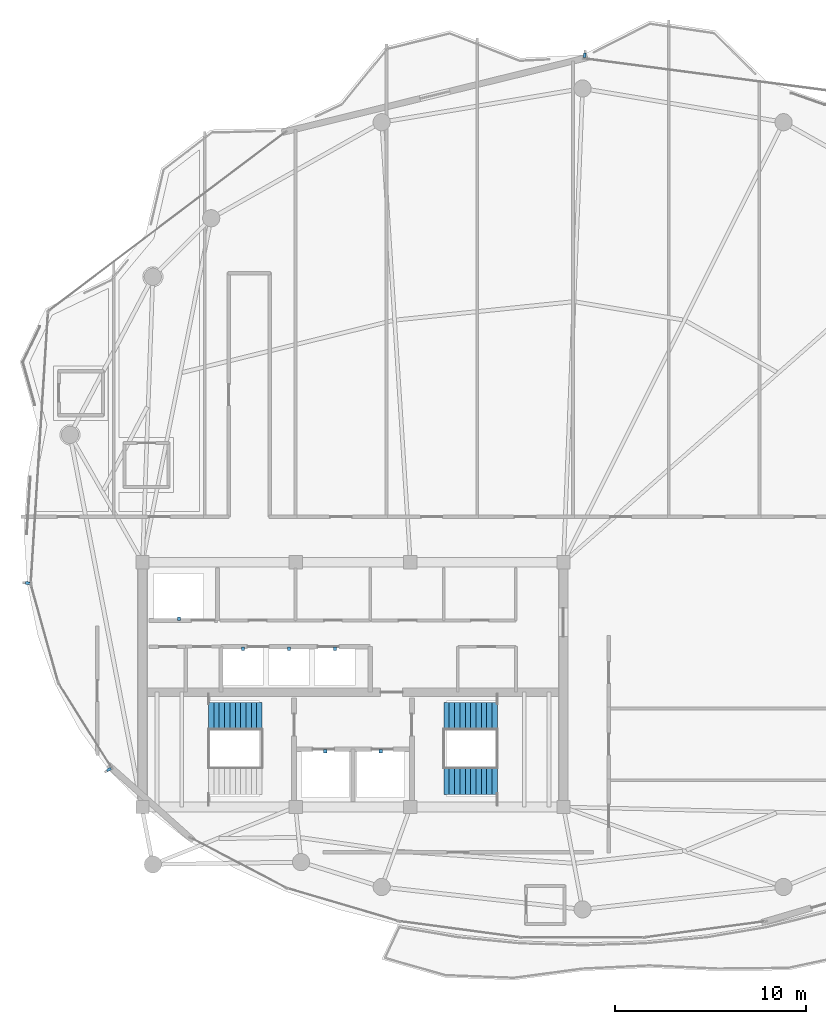
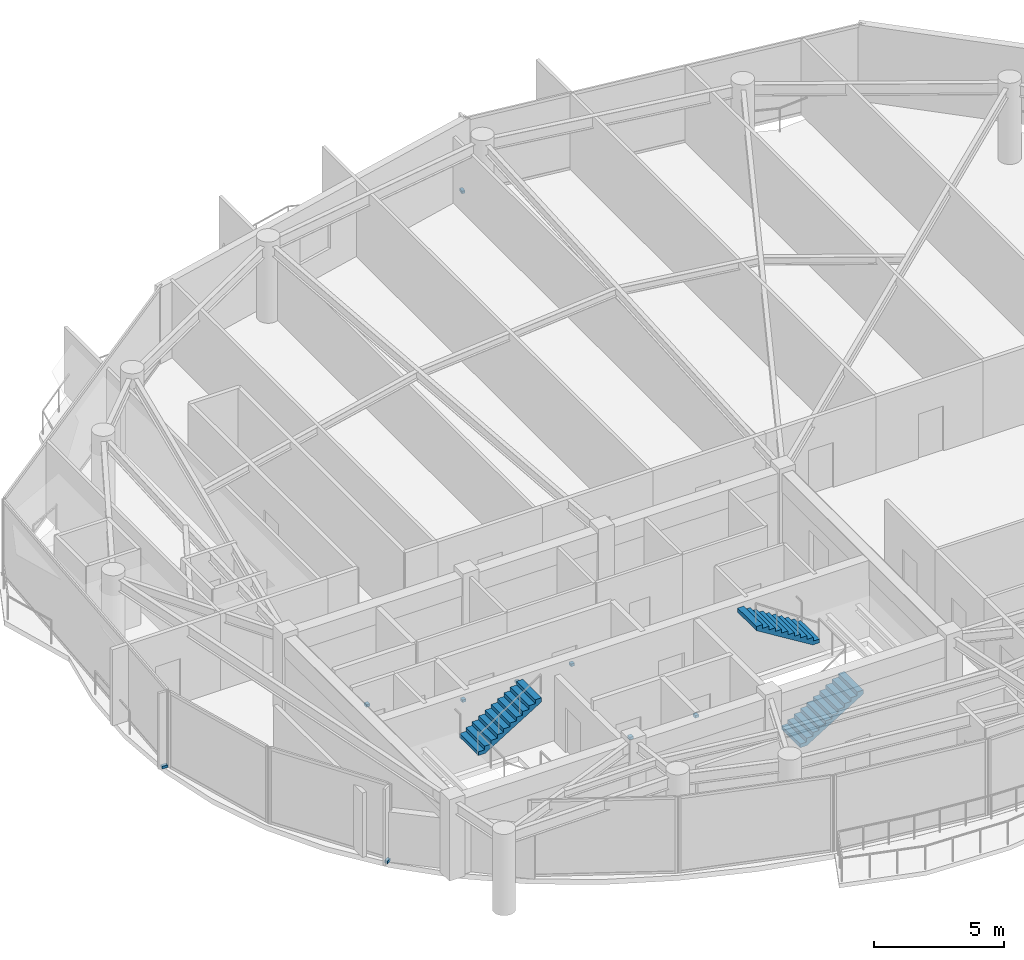
# One storey, part 26 of 29: 9 discrete accessories, 3 stair flights, 2 elements without a shape of their own.
"""IFC4 building model written with IfcOpenShell, lengths in metres."""

from ifc_helpers import new_model, si_unit, direction, frame, origin, origin_2d, place, context, subcontext, project, spatial, polyline, rectangle, outline, extrude, material, layer, layer_set, type_object, element, aggregate, save


model = new_model("IFC4")

# Units and contexts
model_context = context("Model", 3, precision=1e-05, world=origin(), true_north=direction((0.0, 1.0)))
body_context = subcontext(model_context, "Body", "Model", "MODEL_VIEW")
ifc_project = project(units=[si_unit("LENGTHUNIT", "METRE"), si_unit("AREAUNIT", "SQUARE_METRE"), si_unit("VOLUMEUNIT", "CUBIC_METRE"), si_unit("PLANEANGLEUNIT", "RADIAN"), si_unit("MASSUNIT", "GRAM", prefix="KILO")], contexts=[model_context])

# Site, building, storey
site_placement = place(None, origin())
site = spatial("IfcSite", under=ifc_project, at=site_placement, CompositionType="ELEMENT")
building_placement = place(site_placement, origin())
building = spatial("IfcBuilding", under=site, at=building_placement, Name="Kazevale Care Tower and Concert Hall", CompositionType="ELEMENT")
storey_placement = place(building_placement, frame((0.0, 0.0, 262.39990234375)))
storey = spatial("IfcBuildingStorey", under=building, at=storey_placement, Name="L69", CompositionType="ELEMENT", Elevation=262.39990234375)

# Stair, stair flight
ifc_material_1 = material(Name="Concrete C40", Category="concrete")
stair_type = type_object("IfcStairType", Name="Exit Stair Assembly ST1-U", PredefinedType="HALF_TURN_STAIR", material=ifc_material_1)
stair_1_placement = place(storey_placement, origin())
stair_1 = element("IfcStair", 1, at=stair_1_placement, inside=storey, type_object=stair_type, Name="stair:L69:ST1", PredefinedType="HALF_TURN_STAIR")
ifc_layer = layer(ifc_material_1, 0.159912109375)
ifc_layer_set = layer_set([ifc_layer], Name="Concrete C40")
stair_flight_type = type_object("IfcStairFlightType", Name="Exit Stair Flight ST1-U", PredefinedType="STRAIGHT", material=ifc_layer_set)
stair_flight_1_placement = place(storey_placement, frame((25.449951171875, 28.330078125, 1.900146484375), z_axis=(0.0, 0.0, 1.0), x_axis=(1.0, 0.0, 0.0)))
stair_flight_1 = element("IfcStairFlight", 2, at=stair_flight_1_placement, type_object=stair_flight_type, Name="ST1-U flight 2", NumberOfRisers=11, NumberOfTreads=10, PredefinedType="STRAIGHT", RiserHeight=0.172727, TreadLength=0.28, context=body_context, shape_type="SweptSolid", body=[
    extrude(outline(polyline([(0.0, 0.0), (0.0, 0.172607421875), (0.280029296875, 0.172607421875), (0.280029296875, 0.345458984375), (0.56005859375, 0.345458984375), (0.56005859375, 0.51806640625), (0.840087890625, 0.51806640625), (0.840087890625, 0.69091796875), (1.1201171875, 0.69091796875), (1.1201171875, 0.863525390625), (1.39990234375, 0.863525390625), (1.39990234375, 1.036376953125), (1.679931640625, 1.036376953125), (1.679931640625, 1.208984375), (1.9599609375, 1.208984375), (1.9599609375, 1.3818359375), (2.239990234375, 1.3818359375), (2.239990234375, 1.554443359375), (2.52001953125, 1.554443359375), (2.52001953125, 1.727294921875), (2.800048828125, 1.727294921875), (2.800048828125, 1.89990234375), (2.800048828125, 1.539306640625), (0.3046875, 0.0), (0.0, 0.0)])), frame((0.0, 0.719970703125, 0.0), z_axis=(0.0, -1.0, 0.0), x_axis=(1.0, 0.0, 0.0)), (0.0, 0.0, 1.0), 1.43994140625),
])
aggregate(stair_1, [stair_flight_1])

# Stair, stair flights
stair_2_placement = place(storey_placement, origin())
stair_2 = element("IfcStair", 3, at=stair_2_placement, inside=storey, type_object=stair_type, Name="stair:L69:ST2", PredefinedType="HALF_TURN_STAIR")
stair_flight_2_placement = place(storey_placement, frame((37.75, 24.969970703125, 0.0), z_axis=(0.0, 0.0, 1.0), x_axis=(1.0, 0.0, 0.0)))
stair_flight_2 = element("IfcStairFlight", 4, at=stair_flight_2_placement, type_object=stair_flight_type, Name="ST1-U flight 1", NumberOfRisers=11, NumberOfTreads=10, PredefinedType="STRAIGHT", RiserHeight=0.172727, TreadLength=0.28, context=body_context, shape_type="SweptSolid", body=[
    extrude(outline(polyline([(0.0, 0.0), (0.0, 0.172607421875), (0.280029296875, 0.172607421875), (0.280029296875, 0.345458984375), (0.56005859375, 0.345458984375), (0.56005859375, 0.51806640625), (0.840087890625, 0.51806640625), (0.840087890625, 0.69091796875), (1.1201171875, 0.69091796875), (1.1201171875, 0.863525390625), (1.39990234375, 0.863525390625), (1.39990234375, 1.036376953125), (1.679931640625, 1.036376953125), (1.679931640625, 1.208984375), (1.9599609375, 1.208984375), (1.9599609375, 1.3818359375), (2.239990234375, 1.3818359375), (2.239990234375, 1.554443359375), (2.52001953125, 1.554443359375), (2.52001953125, 1.727294921875), (2.800048828125, 1.727294921875), (2.800048828125, 1.89990234375), (2.800048828125, 1.539306640625), (0.3046875, 0.0), (0.0, 0.0)])), frame((0.0, 0.719970703125, 0.0), z_axis=(0.0, -1.0, 0.0), x_axis=(1.0, 0.0, 0.0)), (0.0, 0.0, 1.0), 1.43994140625),
])
stair_flight_3_placement = place(storey_placement, frame((40.550048828125, 28.330078125, 1.900146484375), z_axis=(0.0, 0.0, 1.0), x_axis=(-1.0, 0.0, 0.0)))
stair_flight_3 = element("IfcStairFlight", 5, at=stair_flight_3_placement, type_object=stair_flight_type, Name="ST1-U flight 2", NumberOfRisers=11, NumberOfTreads=10, PredefinedType="STRAIGHT", RiserHeight=0.172727, TreadLength=0.28, context=body_context, shape_type="SweptSolid", body=[
    extrude(outline(polyline([(0.0, 0.0), (0.0, 0.172607421875), (0.280029296875, 0.172607421875), (0.280029296875, 0.345458984375), (0.56005859375, 0.345458984375), (0.56005859375, 0.51806640625), (0.840087890625, 0.51806640625), (0.840087890625, 0.69091796875), (1.1201171875, 0.69091796875), (1.1201171875, 0.863525390625), (1.39990234375, 0.863525390625), (1.39990234375, 1.036376953125), (1.679931640625, 1.036376953125), (1.679931640625, 1.208984375), (1.9599609375, 1.208984375), (1.9599609375, 1.3818359375), (2.239990234375, 1.3818359375), (2.239990234375, 1.554443359375), (2.52001953125, 1.554443359375), (2.52001953125, 1.727294921875), (2.800048828125, 1.727294921875), (2.800048828125, 1.89990234375), (2.800048828125, 1.539306640625), (0.3046875, 0.0), (0.0, 0.0)])), frame((0.0, 0.719970703125, 0.0), z_axis=(0.0, -1.0, 0.0), x_axis=(1.0, 0.0, 0.0)), (0.0, 0.0, 1.0), 1.43994140625),
])
aggregate(stair_2, [stair_flight_2, stair_flight_3])

# Discrete accessories
ifc_material_2 = material(Name="Stainless Steel 316", Category="steel")
discrete_accessory_type_1 = type_object("IfcDiscreteAccessoryType", Name="Facade Fin Stainless Anchor Bracket BRK-1", PredefinedType="BRACKET", material=ifc_material_2)
for number, where, z_axis, x_axis, name in (
    (6, (20.247802734375, 25.560302734375, 0.0), (0.0, 0.0, 1.0), (-0.846657866138, -0.532137630417, 0.0), "cw:L69:f11:brk"),
    (7, (15.994873046875, 35.3046875, 0.0), (0.0, 0.0, 1.0), (-0.997982649167, 0.063487258268, 0.0), "cw:L69:f13:brk"),
    (8, (45.10888671875, 62.88525390625, 0.0), (0.0, 0.0, 1.0), (0.13052619222, 0.991444861374, 0.0), "cw:L69:f16:brk"),
):
    element("IfcDiscreteAccessory", number, at=place(storey_placement, frame(where, z_axis=z_axis, x_axis=x_axis)), inside=storey, type_object=discrete_accessory_type_1, Name=name, PredefinedType="BRACKET", context=body_context, shape_type="SweptSolid", body=[
        extrude(rectangle(XDim=0.239990234375, YDim=0.139892578125, at=origin_2d()), origin(), (0.0, 0.0, 1.0), 0.1201171875),
    ])
discrete_accessory_type_2 = type_object("IfcDiscreteAccessoryType", Name="Hoistway Guide-Rail Wall Bracket HBRK-1", PredefinedType="BRACKET", material=ifc_material_2)
for number, where, z_axis, x_axis, name in (
    (9, (31.550048828125, 26.52001953125, 1.239990234375), (0.0, 0.0, 1.0), (1.0, 0.0, 0.0), "hbrk:FFL-1:L69"),
    (10, (34.449951171875, 26.52001953125, 1.239990234375), (0.0, 0.0, 1.0), (1.0, 0.0, 0.0), "hbrk:FFL-2:L69"),
    (11, (23.89990234375, 33.449951171875, 1.239990234375), (0.0, 0.0, 1.0), (1.0, 0.0, 0.0), "hbrk:SVL-1:L69"),
    (12, (27.25, 31.8798828125, 1.239990234375), (0.0, 0.0, 1.0), (1.0, 0.0, 0.0), "hbrk:PH-1:L69"),
    (13, (29.64990234375, 31.8798828125, 1.239990234375), (0.0, 0.0, 1.0), (1.0, 0.0, 0.0), "hbrk:PH-2:L69"),
    (14, (32.050048828125, 31.8798828125, 1.239990234375), (0.0, 0.0, 1.0), (1.0, 0.0, 0.0), "hbrk:PH-3:L69"),
):
    element("IfcDiscreteAccessory", number, at=place(storey_placement, frame(where, z_axis=z_axis, x_axis=x_axis)), inside=storey, type_object=discrete_accessory_type_2, Name=name, PredefinedType="BRACKET", context=body_context, shape_type="SweptSolid", body=[
        extrude(rectangle(XDim=0.159912109375, YDim=0.179931640625, at=origin_2d()), origin(), (0.0, 0.0, 1.0), 0.1201171875),
    ])

save(model, "model.ifc")
